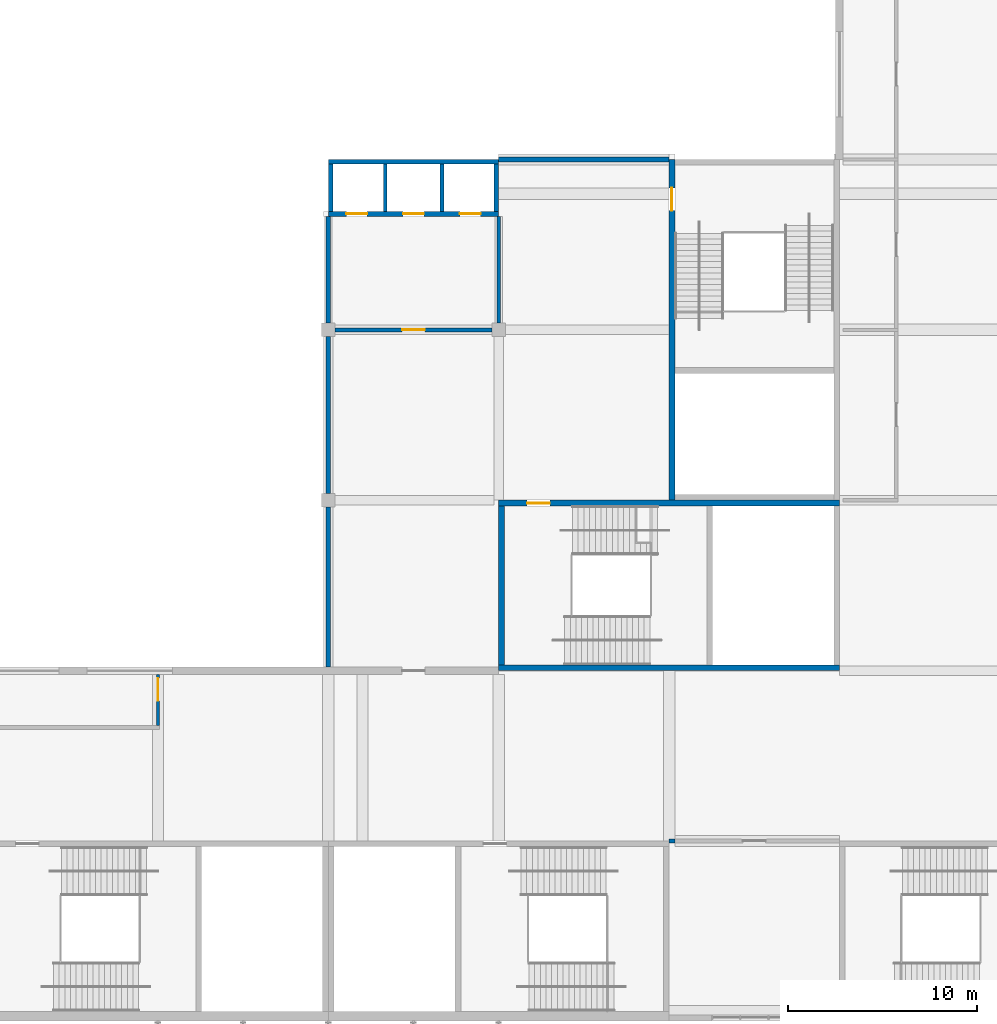
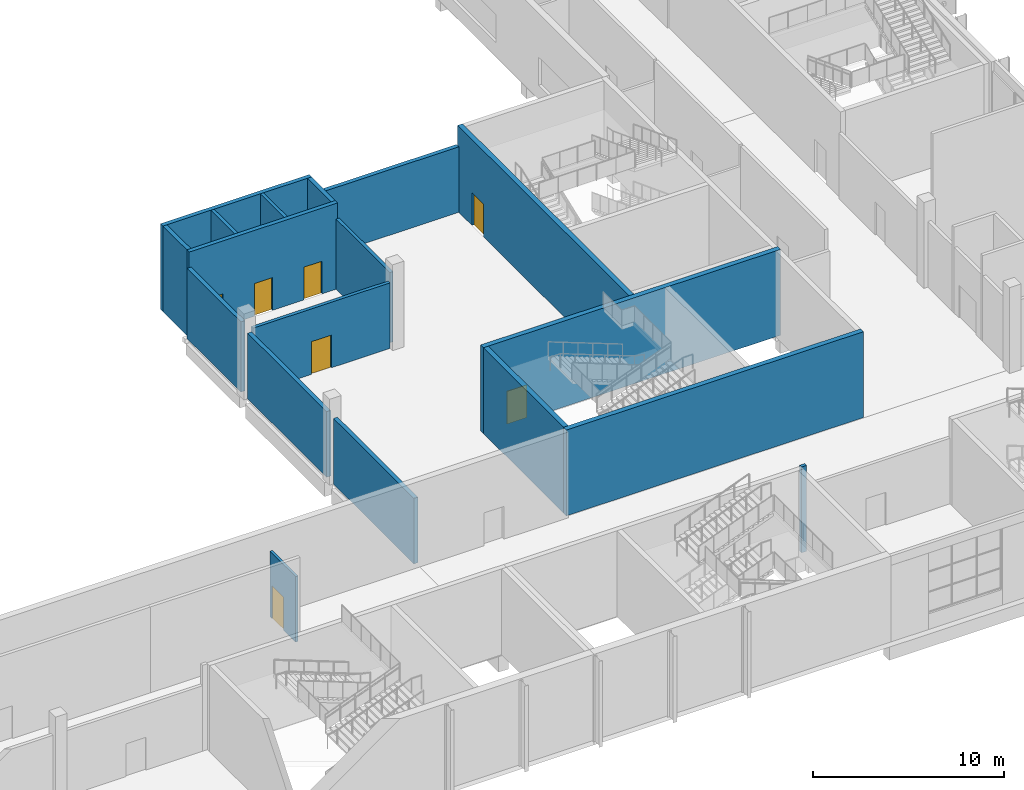
# One storey, part 36 of 84: 18 walls, 7 doors, 7 openings.
"""IFC4 building model written with IfcOpenShell, lengths in metres."""

from ifc_helpers import new_model, si_unit, direction, frame, frame_2d, origin, place, context, subcontext, project, spatial, rectangle, extrude, material, layer, layer_set, type_object, element, fill, save


model = new_model("IFC4")

# Units and contexts
model_context = context("Model", 3, precision=1e-05, world=origin(), true_north=direction((0.0, 1.0)))
body_context = subcontext(model_context, "Body", "Model", "MODEL_VIEW")
ifc_project = project(units=[si_unit("LENGTHUNIT", "METRE"), si_unit("AREAUNIT", "SQUARE_METRE"), si_unit("VOLUMEUNIT", "CUBIC_METRE"), si_unit("PLANEANGLEUNIT", "RADIAN"), si_unit("MASSUNIT", "GRAM", prefix="KILO")], contexts=[model_context])

# Site, building, storey
site_placement = place(None, origin())
site = spatial("IfcSite", under=ifc_project, at=site_placement, CompositionType="ELEMENT")
building_placement = place(site_placement, origin())
building = spatial("IfcBuilding", under=site, at=building_placement, Name="Silverbay Arena", CompositionType="ELEMENT")
storey_placement = place(building_placement, frame((0.0, 0.0, 28.0)))
storey = spatial("IfcBuildingStorey", under=building, at=storey_placement, Name="L04", CompositionType="ELEMENT", Elevation=28.0)

# Walls
ifc_material_1 = material(Name="Concrete Grade C45", Category="concrete")
ifc_layer_1 = layer(ifc_material_1, 0.25)
ifc_layer_set_1 = layer_set([ifc_layer_1], Name="Concrete Grade C45")
wall_type_1 = type_object("IfcWallType", Name="Bowl enclosure wall RC 250 EI 120", PredefinedType="SOLIDWALL", material=ifc_layer_set_1)
wall_1_placement = place(storey_placement, frame((162.0, 36.199951171875, 0.0), z_axis=(0.0, 0.0, 1.0), x_axis=(0.0, 1.0, 0.0)))
element("IfcWall", 1, at=wall_1_placement, inside=storey, type_object=wall_type_1, Name="Bowl enclosure wall, corner block SE-x", PredefinedType="SOLIDWALL", context=body_context, shape_type="SweptSolid", body=[
    extrude(rectangle(XDim=8.449951171875, YDim=0.25, at=frame_2d((4.22509765625, 0.0))), origin(), (0.0, 0.0, 1.0), 4.199951171875),
])
wall_2_placement = place(storey_placement, frame((162.0, 45.35009765625, 0.0), z_axis=(0.0, 0.0, 1.0), x_axis=(0.0, 1.0, 0.0)))
element("IfcWall", 2, at=wall_2_placement, inside=storey, type_object=wall_type_1, Name="Bowl enclosure wall, corner block SE-x", PredefinedType="SOLIDWALL", context=body_context, shape_type="SweptSolid", body=[
    extrude(rectangle(XDim=8.2998046875, YDim=0.25, at=frame_2d((4.14990234375, 0.0))), origin(), (0.0, 0.0, 1.0), 4.199951171875),
])
wall_3_placement = place(storey_placement, frame((162.0, 54.35009765625, 0.0), z_axis=(0.0, 0.0, 1.0), x_axis=(0.0, 1.0, 0.0)))
element("IfcWall", 3, at=wall_3_placement, inside=storey, type_object=wall_type_1, Name="Bowl enclosure wall, corner block SE-x", PredefinedType="SOLIDWALL", context=body_context, shape_type="SweptSolid", body=[
    extrude(rectangle(XDim=5.64990234375, YDim=0.25, at=frame_2d((2.824951171875, 0.0))), origin(), (0.0, 0.0, 1.0), 4.5),
])
wall_4_placement = place(storey_placement, frame((171.0, 63.0, 0.0), z_axis=(0.0, 0.0, 1.0), x_axis=(1.0, 0.0, 0.0)))
element("IfcWall", 4, at=wall_4_placement, inside=storey, type_object=wall_type_1, Name="Bowl enclosure wall, corner block SE-y", PredefinedType="SOLIDWALL", context=body_context, shape_type="SweptSolid", body=[
    extrude(rectangle(XDim=9.0, YDim=0.25, at=frame_2d((4.5, 0.0))), origin(), (0.0, 0.0, 1.0), 4.199951171875),
])

# Wall, opening, door
ifc_material_2 = material(Name="Concrete Grade C45", Category="concrete")
ifc_layer_2 = layer(ifc_material_2, 0.300048828125)
ifc_layer_set_2 = layer_set([ifc_layer_2], Name="Concrete Grade C45")
wall_type_2 = type_object("IfcWallType", Name="Core wall RC 300 EI 120", PredefinedType="SHEAR", material=ifc_layer_set_2)
wall_5_placement = place(storey_placement, frame((171.0, 44.85009765625, 0.0), z_axis=(0.0, 0.0, 1.0), x_axis=(1.0, 0.0, 0.0)))
wall_5 = element("IfcWall", 5, at=wall_5_placement, inside=storey, type_object=wall_type_2, Name="Core wall ST-SE1 L04 door side", PredefinedType="SHEAR", context=body_context, shape_type="SweptSolid", body=[
    extrude(rectangle(XDim=18.0, YDim=0.300048828125, at=frame_2d((9.0, 0.0))), origin(), (0.0, 0.0, 1.0), 5.5),
])
opening_1_placement = place(wall_5_placement, frame((1.5, 0.0, 0.0)))
opening_1 = element("IfcOpeningElement", 6, at=opening_1_placement, cuts=wall_5, Name="Opening L04-073", PredefinedType="OPENING", context=body_context, shape_type="SweptSolid", body=[
    extrude(rectangle(XDim=1.199951171875, YDim=2.10009765625, at=frame_2d((0.60009765625, 1.050048828125))), frame((0.0, 0.16015625, 0.0), z_axis=(0.0, -1.0, 0.0), x_axis=(1.0, 0.0, 0.0)), (0.0, 0.0, 1.0), 0.320068359375),
])
ifc_material_3 = material(Name="Steel fire door", Category="steel")
door_type_1 = type_object("IfcDoorType", Name="Stair door 1200 x 2100 fire door", OperationType="SINGLE_SWING_LEFT", PredefinedType="DOOR", material=ifc_material_3)
door_1_placement = place(opening_1_placement, frame((1.199951171875, 0.0, 0.0), z_axis=(0.0, 0.0, 1.0), x_axis=(-1.0, 0.0, 0.0)))
door_1 = element("IfcDoor", 7, at=door_1_placement, inside=storey, type_object=door_type_1, Name="Stair door ST-SE1 L04", OperationType="SINGLE_SWING_RIGHT", OverallHeight=2.10009765625, OverallWidth=1.199951171875, PredefinedType="DOOR", context=body_context, shape_type="SweptSolid", body=[
    extrude(rectangle(XDim=1.199951171875, YDim=2.10009765625, at=frame_2d((0.60009765625, 1.050048828125))), frame((0.0, 0.02490234375, 0.0), z_axis=(0.0, -1.0, 0.0), x_axis=(1.0, 0.0, 0.0)), (0.0, 0.0, 1.0), 0.050048828125),
])
fill(opening_1, door_1)

# Walls
wall_6_placement = place(storey_placement, frame((171.0, 36.14990234375, 0.0), z_axis=(0.0, 0.0, 1.0), x_axis=(1.0, 0.0, 0.0)))
element("IfcWall", 8, at=wall_6_placement, inside=storey, type_object=wall_type_2, Name="Core wall ST-SE1 L04 far side", PredefinedType="SHEAR", context=body_context, shape_type="SweptSolid", body=[
    extrude(rectangle(XDim=18.0, YDim=0.300048828125, at=frame_2d((9.0, 0.0))), origin(), (0.0, 0.0, 1.0), 5.5),
])
wall_7_placement = place(storey_placement, frame((171.14990234375, 44.699951171875, 0.0), z_axis=(0.0, 0.0, 1.0), x_axis=(0.0, -1.0, 0.0)))
element("IfcWall", 9, at=wall_7_placement, inside=storey, type_object=wall_type_2, Name="Core wall ST-SE1 L04 end 1", PredefinedType="SHEAR", context=body_context, shape_type="SweptSolid", body=[
    extrude(rectangle(XDim=8.39990234375, YDim=0.300048828125, at=frame_2d((4.199951171875, 0.0))), origin(), (0.0, 0.0, 1.0), 5.5),
])

# Wall, opening, door
wall_8_placement = place(storey_placement, frame((180.14990234375, 63.0, 0.0), z_axis=(0.0, 0.0, 1.0), x_axis=(0.0, -1.0, 0.0)))
wall_8 = element("IfcWall", 10, at=wall_8_placement, inside=storey, type_object=wall_type_2, Name="Core wall ST-SE2 L04 door side", PredefinedType="SHEAR", context=body_context, shape_type="SweptSolid", body=[
    extrude(rectangle(XDim=18.0, YDim=0.300048828125, at=frame_2d((9.0, 0.0))), origin(), (0.0, 0.0, 1.0), 5.5),
])
opening_2_placement = place(wall_8_placement, frame((1.5, 0.0, 0.0)))
opening_2 = element("IfcOpeningElement", 11, at=opening_2_placement, cuts=wall_8, Name="Opening L04-074", PredefinedType="OPENING", context=body_context, shape_type="SweptSolid", body=[
    extrude(rectangle(XDim=1.199951171875, YDim=2.10009765625, at=frame_2d((0.60009765625, 1.050048828125))), frame((0.0, 0.16015625, 0.0), z_axis=(0.0, -1.0, 0.0), x_axis=(1.0, 0.0, 0.0)), (0.0, 0.0, 1.0), 0.320068359375),
])
door_2_placement = place(opening_2_placement, origin())
door_2 = element("IfcDoor", 12, at=door_2_placement, inside=storey, type_object=door_type_1, Name="Stair door ST-SE2 L04", OperationType="SINGLE_SWING_LEFT", OverallHeight=2.10009765625, OverallWidth=1.199951171875, PredefinedType="DOOR", context=body_context, shape_type="SweptSolid", body=[
    extrude(rectangle(XDim=1.199951171875, YDim=2.10009765625, at=frame_2d((0.60009765625, 1.050048828125))), frame((0.0, 0.02490234375, 0.0), z_axis=(0.0, -1.0, 0.0), x_axis=(1.0, 0.0, 0.0)), (0.0, 0.0, 1.0), 0.050048828125),
])
fill(opening_2, door_2)

# Walls
ifc_material_4 = material(Name="Concrete Grade C45", Category="concrete")
ifc_layer_3 = layer(ifc_material_4, 0.199951171875)
ifc_layer_set_3 = layer_set([ifc_layer_3], Name="Concrete Grade C45")
wall_type_3 = type_object("IfcWallType", Name="Lift shaft divider RC 200 EI 120", PredefinedType="SHEAR", material=ifc_layer_set_3)
for number, where, z_axis, x_axis, name in (
    (13, (165.0, 60.25, 0.0), (0.0, 0.0, 1.0), (0.0, 1.0, 0.0), "Lift shaft divider LB-SE L04 1"),
    (14, (168.0, 60.25, 0.0), (0.0, 0.0, 1.0), (0.0, 1.0, 0.0), "Lift shaft divider LB-SE L04 2"),
):
    element("IfcWall", number, at=place(storey_placement, frame(where, z_axis=z_axis, x_axis=x_axis)), inside=storey, type_object=wall_type_3, Name=name, PredefinedType="SHEAR", context=body_context, shape_type="SweptSolid", body=[
        extrude(rectangle(XDim=2.5, YDim=0.199951171875, at=frame_2d((1.25, 0.0))), origin(), (0.0, 0.0, 1.0), 5.5),
    ])

# Wall, openings, doors
ifc_material_5 = material(Name="Concrete Grade C45", Category="concrete")
ifc_layer_4 = layer(ifc_material_5, 0.25)
ifc_layer_set_4 = layer_set([ifc_layer_4], Name="Concrete Grade C45")
wall_type_4 = type_object("IfcWallType", Name="Lift shaft wall RC 250 EI 120", PredefinedType="SHEAR", material=ifc_layer_set_4)
wall_9_placement = place(storey_placement, frame((162.0, 60.125, 0.0), z_axis=(0.0, 0.0, 1.0), x_axis=(1.0, 0.0, 0.0)))
wall_9 = element("IfcWall", 15, at=wall_9_placement, inside=storey, type_object=wall_type_4, Name="Lift shaft wall LB-SE L04 landing side", PredefinedType="SHEAR", context=body_context, shape_type="SweptSolid", body=[
    extrude(rectangle(XDim=9.0, YDim=0.25, at=frame_2d((4.5, 0.0))), origin(), (0.0, 0.0, 1.0), 5.5),
])
opening_3_placement = place(wall_9_placement, frame((0.949951171875, 0.0, 0.0)))
opening_3 = element("IfcOpeningElement", 16, at=opening_3_placement, cuts=wall_9, Name="Opening L04-082", PredefinedType="OPENING", context=body_context, shape_type="SweptSolid", body=[
    extrude(rectangle(XDim=1.10009765625, YDim=2.10009765625, at=frame_2d((0.550048828125, 1.050048828125))), frame((0.0, 0.135009765625, 0.0), z_axis=(0.0, -1.0, 0.0), x_axis=(1.0, 0.0, 0.0)), (0.0, 0.0, 1.0), 0.27001953125),
])
opening_4_placement = place(wall_9_placement, frame((3.949951171875, 0.0, 0.0)))
opening_4 = element("IfcOpeningElement", 17, at=opening_4_placement, cuts=wall_9, Name="Opening L04-083", PredefinedType="OPENING", context=body_context, shape_type="SweptSolid", body=[
    extrude(rectangle(XDim=1.10009765625, YDim=2.10009765625, at=frame_2d((0.550048828125, 1.050048828125))), frame((0.0, 0.135009765625, 0.0), z_axis=(0.0, -1.0, 0.0), x_axis=(1.0, 0.0, 0.0)), (0.0, 0.0, 1.0), 0.27001953125),
])
opening_5_placement = place(wall_9_placement, frame((6.949951171875, 0.0, 0.0)))
opening_5 = element("IfcOpeningElement", 18, at=opening_5_placement, cuts=wall_9, Name="Opening L04-084", PredefinedType="OPENING", context=body_context, shape_type="SweptSolid", body=[
    extrude(rectangle(XDim=1.10009765625, YDim=2.10009765625, at=frame_2d((0.550048828125, 1.050048828125))), frame((0.0, 0.135009765625, 0.0), z_axis=(0.0, -1.0, 0.0), x_axis=(1.0, 0.0, 0.0)), (0.0, 0.0, 1.0), 0.27001953125),
])
ifc_material_6 = material(Name="Stainless steel", Category="steel")
door_type_2 = type_object("IfcDoorType", Name="LD1 lift landing door 1100 x 2100", OperationType="DOUBLE_DOOR_SLIDING", PredefinedType="DOOR", material=ifc_material_6)
door_3_placement = place(opening_3_placement, origin())
door_3 = element("IfcDoor", 19, at=door_3_placement, inside=storey, type_object=door_type_2, Name="Lift landing door LF6 L04", OperationType="DOUBLE_DOOR_SLIDING", OverallHeight=2.10009765625, OverallWidth=1.10009765625, PredefinedType="DOOR", context=body_context, shape_type="SweptSolid", body=[
    extrude(rectangle(XDim=1.10009765625, YDim=2.10009765625, at=frame_2d((0.550048828125, 1.050048828125))), frame((0.0, 0.02490234375, 0.0), z_axis=(0.0, -1.0, 0.0), x_axis=(1.0, 0.0, 0.0)), (0.0, 0.0, 1.0), 0.050048828125),
])
fill(opening_3, door_3)
door_4_placement = place(opening_4_placement, origin())
door_4 = element("IfcDoor", 20, at=door_4_placement, inside=storey, type_object=door_type_2, Name="Lift landing door LF7 L04", OperationType="DOUBLE_DOOR_SLIDING", OverallHeight=2.10009765625, OverallWidth=1.10009765625, PredefinedType="DOOR", context=body_context, shape_type="SweptSolid", body=[
    extrude(rectangle(XDim=1.10009765625, YDim=2.10009765625, at=frame_2d((0.550048828125, 1.050048828125))), frame((0.0, 0.02490234375, 0.0), z_axis=(0.0, -1.0, 0.0), x_axis=(1.0, 0.0, 0.0)), (0.0, 0.0, 1.0), 0.050048828125),
])
fill(opening_4, door_4)
door_5_placement = place(opening_5_placement, origin())
door_5 = element("IfcDoor", 21, at=door_5_placement, inside=storey, type_object=door_type_2, Name="Lift landing door LF8 L04", OperationType="DOUBLE_DOOR_SLIDING", OverallHeight=2.10009765625, OverallWidth=1.10009765625, PredefinedType="DOOR", context=body_context, shape_type="SweptSolid", body=[
    extrude(rectangle(XDim=1.10009765625, YDim=2.10009765625, at=frame_2d((0.550048828125, 1.050048828125))), frame((0.0, 0.02490234375, 0.0), z_axis=(0.0, -1.0, 0.0), x_axis=(1.0, 0.0, 0.0)), (0.0, 0.0, 1.0), 0.050048828125),
])
fill(opening_5, door_5)

# Walls
wall_10_placement = place(storey_placement, frame((162.0, 62.875, 0.0), z_axis=(0.0, 0.0, 1.0), x_axis=(1.0, 0.0, 0.0)))
element("IfcWall", 22, at=wall_10_placement, inside=storey, type_object=wall_type_4, Name="Lift shaft wall LB-SE L04 back", PredefinedType="SHEAR", context=body_context, shape_type="SweptSolid", body=[
    extrude(rectangle(XDim=9.0, YDim=0.25, at=frame_2d((4.5, 0.0))), origin(), (0.0, 0.0, 1.0), 5.5),
])
for number, where, z_axis, x_axis, name in (
    (23, (162.125, 60.25, 0.0), (0.0, 0.0, 1.0), (0.0, 1.0, 0.0), "Lift shaft wall LB-SE L04 end"),
    (24, (170.875, 60.25, 0.0), (0.0, 0.0, 1.0), (0.0, 1.0, 0.0), "Lift shaft wall LB-SE L04 end"),
):
    element("IfcWall", number, at=place(storey_placement, frame(where, z_axis=z_axis, x_axis=x_axis)), inside=storey, type_object=wall_type_4, Name=name, PredefinedType="SHEAR", context=body_context, shape_type="SweptSolid", body=[
        extrude(rectangle(XDim=2.5, YDim=0.25, at=frame_2d((1.25, 0.0))), origin(), (0.0, 0.0, 1.0), 5.5),
    ])

# Wall, opening, door
ifc_material_7 = material(Name="Gypsum board partition on steel studs", Category="steel")
ifc_layer_5 = layer(ifc_material_7, 0.14990234375)
ifc_layer_set_5 = layer_set([ifc_layer_5], Name="Gypsum board partition on steel studs")
wall_type_5 = type_object("IfcWallType", Name="Partition 150 EI 60", PredefinedType="PARTITIONING", material=ifc_layer_set_5)
wall_11_placement = place(storey_placement, frame((153.0, 33.10009765625, 0.0), z_axis=(0.0, 0.0, 1.0), x_axis=(0.0, 1.0, 0.0)))
wall_11 = element("IfcWall", 25, at=wall_11_placement, inside=storey, type_object=wall_type_5, Name="Partition wall", PredefinedType="PARTITIONING", context=body_context, shape_type="SweptSolid", body=[
    extrude(rectangle(XDim=2.699951171875, YDim=0.14990234375, at=frame_2d((1.35009765625, 0.0))), origin(), (0.0, 0.0, 1.0), 4.199951171875),
])
opening_6_placement = place(wall_11_placement, frame((1.300048828125, 0.0, 0.0)))
opening_6 = element("IfcOpeningElement", 26, at=opening_6_placement, cuts=wall_11, Name="Opening L04-054", PredefinedType="OPENING", context=body_context, shape_type="SweptSolid", body=[
    extrude(rectangle(XDim=1.199951171875, YDim=2.10009765625, at=frame_2d((0.60009765625, 1.050048828125))), frame((0.0, 0.0849609375, 0.0), z_axis=(0.0, -1.0, 0.0), x_axis=(1.0, 0.0, 0.0)), (0.0, 0.0, 1.0), 0.169921875),
])
ifc_material_8 = material(Name="Steel faced timber", Category="steel")
door_type_3 = type_object("IfcDoorType", Name="Single leaf door 1200 x 2100 FD30S", OperationType="SINGLE_SWING_LEFT", PredefinedType="DOOR", material=ifc_material_8)
door_6_placement = place(opening_6_placement, origin())
door_6 = element("IfcDoor", 27, at=door_6_placement, inside=storey, type_object=door_type_3, Name="Door L04-054", OperationType="SINGLE_SWING_RIGHT", OverallHeight=2.10009765625, OverallWidth=1.199951171875, PredefinedType="DOOR", context=body_context, shape_type="SweptSolid", body=[
    extrude(rectangle(XDim=1.199951171875, YDim=2.10009765625, at=frame_2d((0.60009765625, 1.050048828125))), frame((0.0, 0.02490234375, 0.0), z_axis=(0.0, -1.0, 0.0), x_axis=(1.0, 0.0, 0.0)), (0.0, 0.0, 1.0), 0.050048828125),
])
fill(opening_6, door_6)

ifc_material_9 = material(Name="Masonry blockwork partition", Category="masonry")
ifc_layer_6 = layer(ifc_material_9, 0.199951171875)
ifc_layer_set_6 = layer_set([ifc_layer_6], Name="Masonry blockwork partition")
wall_type_6 = type_object("IfcWallType", Name="Partition 200 EI 120", PredefinedType="PARTITIONING", material=ifc_layer_set_6)
wall_12_placement = place(storey_placement, frame((162.35009765625, 54.0, 0.0), z_axis=(0.0, 0.0, 1.0), x_axis=(1.0, 0.0, 0.0)))
wall_12 = element("IfcWall", 28, at=wall_12_placement, inside=storey, type_object=wall_type_6, Name="Partition wall", PredefinedType="PARTITIONING", context=body_context, shape_type="SweptSolid", body=[
    extrude(rectangle(XDim=8.2998046875, YDim=0.199951171875, at=frame_2d((4.14990234375, 0.0))), origin(), (0.0, 0.0, 1.0), 4.199951171875),
])
opening_7_placement = place(wall_12_placement, frame((3.550048828125, 0.0, 0.0)))
opening_7 = element("IfcOpeningElement", 29, at=opening_7_placement, cuts=wall_12, Name="Opening L04-020", PredefinedType="OPENING", context=body_context, shape_type="SweptSolid", body=[
    extrude(rectangle(XDim=1.199951171875, YDim=2.10009765625, at=frame_2d((0.60009765625, 1.050048828125))), frame((0.0, 0.10986328125, 0.0), z_axis=(0.0, -1.0, 0.0), x_axis=(1.0, 0.0, 0.0)), (0.0, 0.0, 1.0), 0.219970703125),
])
ifc_material_10 = material(Name="Steel faced timber", Category="steel")
door_type_4 = type_object("IfcDoorType", Name="Single leaf door 1200 x 2100 FD60", OperationType="SINGLE_SWING_LEFT", PredefinedType="DOOR", material=ifc_material_10)
door_7_placement = place(opening_7_placement, frame((1.199951171875, 0.0, 0.0), z_axis=(0.0, 0.0, 1.0), x_axis=(-1.0, 0.0, 0.0)))
door_7 = element("IfcDoor", 30, at=door_7_placement, inside=storey, type_object=door_type_4, Name="Door L04-020", OperationType="SINGLE_SWING_LEFT", OverallHeight=2.10009765625, OverallWidth=1.199951171875, PredefinedType="DOOR", context=body_context, shape_type="SweptSolid", body=[
    extrude(rectangle(XDim=1.199951171875, YDim=2.10009765625, at=frame_2d((0.60009765625, 1.050048828125))), frame((0.0, 0.02490234375, 0.0), z_axis=(0.0, -1.0, 0.0), x_axis=(1.0, 0.0, 0.0)), (0.0, 0.0, 1.0), 0.050048828125),
])
fill(opening_7, door_7)

# Walls
wall_13_placement = place(storey_placement, frame((171.0, 54.35009765625, 0.0), z_axis=(0.0, 0.0, 1.0), x_axis=(0.0, 1.0, 0.0)))
element("IfcWall", 31, at=wall_13_placement, inside=storey, type_object=wall_type_6, Name="Partition wall", PredefinedType="PARTITIONING", context=body_context, shape_type="SweptSolid", body=[
    extrude(rectangle(XDim=5.64990234375, YDim=0.199951171875, at=frame_2d((2.824951171875, 0.0))), origin(), (0.0, 0.0, 1.0), 4.5),
])
wall_14_placement = place(storey_placement, frame((180.0, 27.0, 0.0), z_axis=(0.0, 0.0, 1.0), x_axis=(1.0, 0.0, 0.0)))
element("IfcWall", 32, at=wall_14_placement, inside=storey, type_object=wall_type_6, Name="Partition wall", PredefinedType="PARTITIONING", context=body_context, shape_type="SweptSolid", body=[
    extrude(rectangle(XDim=0.300048828125, YDim=0.199951171875, at=frame_2d((0.14990234375, 0.0))), origin(), (0.0, 0.0, 1.0), 5.5),
])

save(model, "model.ifc")
